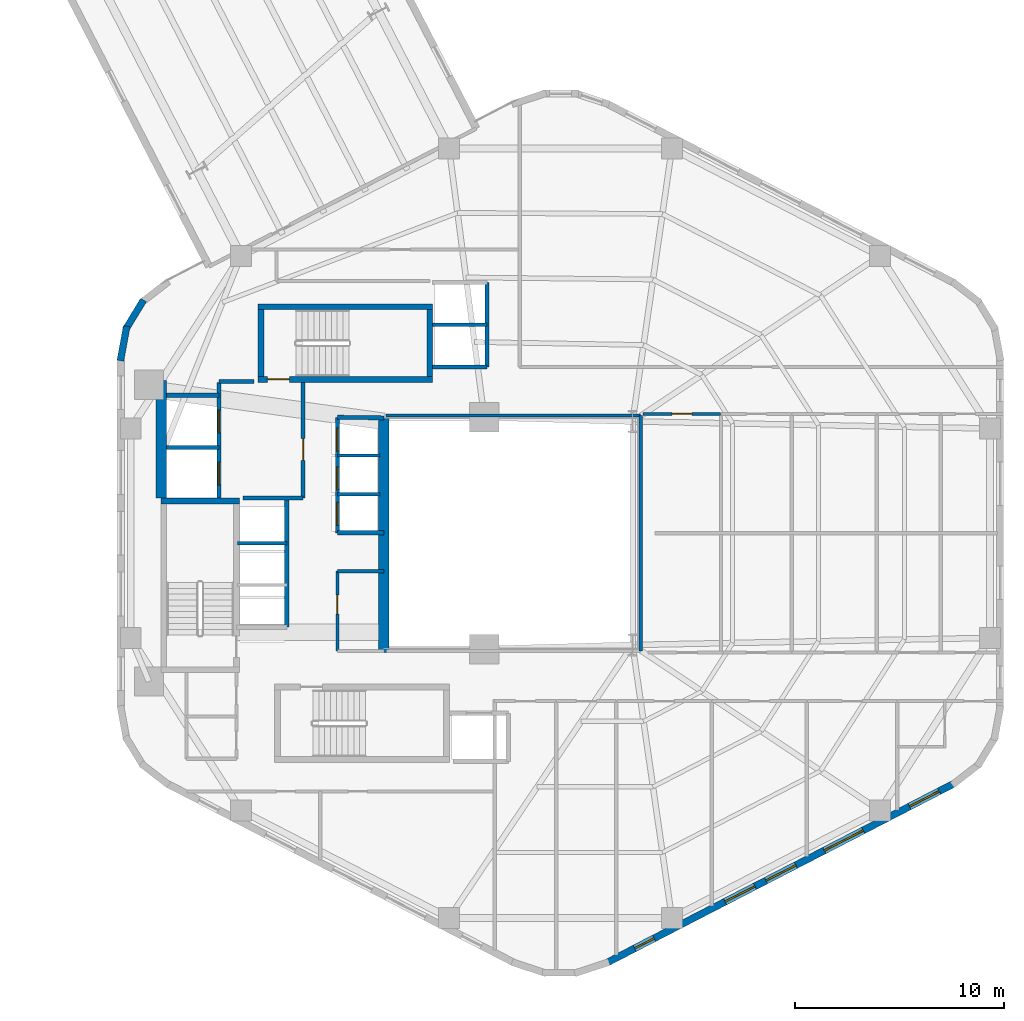
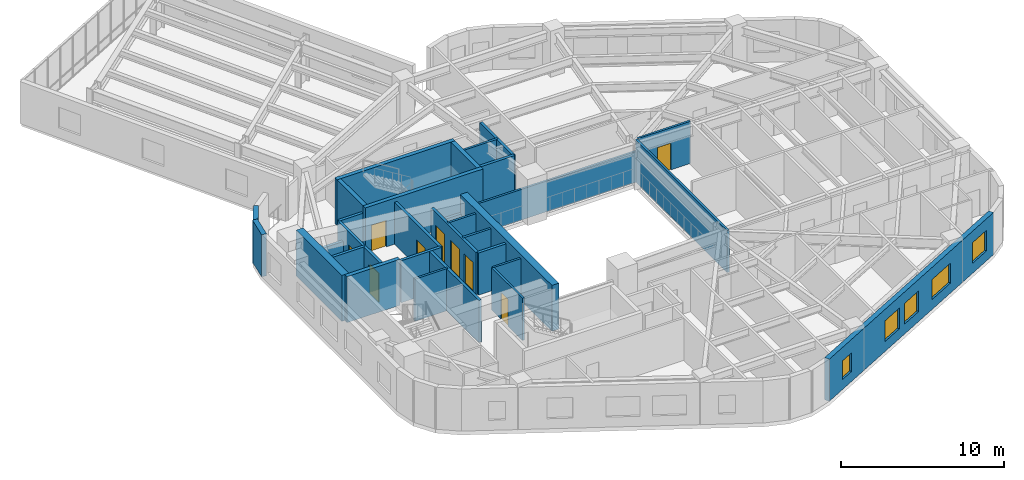
# One storey, part 7 of 11: 31 walls, 9 doors, 5 windows, 14 openings.
"""IFC4 building model written with IfcOpenShell, lengths in metres."""

from ifc_helpers import new_model, si_unit, direction, frame, frame_2d, origin, place, context, subcontext, project, spatial, rectangle, extrude, material, layer, layer_set, type_object, element, fill, save


model = new_model("IFC4")

# Units and contexts
model_context = context("Model", 3, precision=1e-05, world=origin(), true_north=direction((0.0, 1.0)))
body_context = subcontext(model_context, "Body", "Model", "MODEL_VIEW")
ifc_project = project(units=[si_unit("LENGTHUNIT", "METRE"), si_unit("AREAUNIT", "SQUARE_METRE"), si_unit("VOLUMEUNIT", "CUBIC_METRE"), si_unit("PLANEANGLEUNIT", "RADIAN"), si_unit("MASSUNIT", "GRAM", prefix="KILO"), si_unit("THERMODYNAMICTEMPERATUREUNIT", "KELVIN"), si_unit("POWERUNIT", "WATT")], contexts=[model_context])

# Site, building, storey
site_placement = place(None, origin())
site = spatial("IfcSite", under=ifc_project, at=site_placement, CompositionType="ELEMENT")
building_placement = place(site_placement, origin())
building = spatial("IfcBuilding", under=site, at=building_placement, Name="Skarre Station Tower", CompositionType="ELEMENT")
storey_placement = place(building_placement, frame((0.0, 0.0, 139.5)))
storey = spatial("IfcBuildingStorey", under=building, at=storey_placement, Name="L37", CompositionType="ELEMENT", Elevation=139.5)

# Wall, opening, door
ifc_material_1 = material(Name="Acoustic Steel-Stud Gypsum Partition", Category="steel")
ifc_layer_1 = layer(ifc_material_1, 0.14990234375, Name="Acoustic Steel-Stud Gypsum Partition")
ifc_layer_set_1 = layer_set([ifc_layer_1], Name="Acoustic Steel-Stud Gypsum Partition")
wall_type_1 = type_object("IfcWallType", Name="Fire-Rated Corridor Acoustic Partition 150", PredefinedType="PARTITIONING", material=ifc_layer_set_1)
wall_1_placement = place(storey_placement, frame((25.320068359375, 22.179931640625, 0.0), z_axis=(0.0, 0.0, 1.0), x_axis=(0.0, -1.0, 0.0)))
wall_1 = element("IfcWall", 1, at=wall_1_placement, inside=storey, type_object=wall_type_1, Name="L37 Interior Partition WL-PT-L37-RC1-W", PredefinedType="PARTITIONING", context=body_context, shape_type="SweptSolid", body=[
    extrude(rectangle(XDim=3.81982421875, YDim=0.14990234375, at=frame_2d((1.909912109375, 0.0))), origin(), (0.0, 0.0, 1.0), 3.159912109375),
])
opening_1_placement = place(wall_1_placement, frame((1.14990234375, 0.0, 0.0)))
opening_1 = element("IfcOpeningElement", 2, at=opening_1_placement, cuts=wall_1, Name="Opening DR-SVC90", PredefinedType="OPENING", context=body_context, shape_type="SweptSolid", body=[
    extrude(rectangle(XDim=0.89990234375, YDim=2.0, at=frame_2d((0.449951171875, 1.0))), frame((0.0, 0.0849609375, 0.0), z_axis=(0.0, -1.0, 0.0), x_axis=(1.0, 0.0, 0.0)), (0.0, 0.0, 1.0), 0.169921875),
])
ifc_material_2 = material(Name="Powder-Coated Hollow-Metal Acoustic Fire Leaf", Category="steel")
door_type_1 = type_object("IfcDoorType", Name="Service & Riser Fire Door FD60 900x2100", OperationType="SINGLE_SWING_LEFT", PredefinedType="DOOR", material=ifc_material_2)
door_1_placement = place(opening_1_placement, origin())
door_1 = element("IfcDoor", 3, at=door_1_placement, inside=storey, type_object=door_type_1, Name="L37 Staff Pantry Door", OperationType="SINGLE_SWING_LEFT", OverallHeight=2.0, OverallWidth=0.89990234375, PredefinedType="DOOR", context=body_context, shape_type="SweptSolid", body=[
    extrude(rectangle(XDim=0.89990234375, YDim=2.0, at=frame_2d((0.449951171875, 1.0))), frame((0.0, 0.02490234375, 0.0), z_axis=(0.0, -1.0, 0.0), x_axis=(1.0, 0.0, 0.0)), (0.0, 0.0, 1.0), 0.050048828125),
])
fill(opening_1, door_1)

# Walls
wall_2_placement = place(storey_placement, frame((25.320068359375, 22.179931640625, 0.0), z_axis=(0.0, 0.0, 1.0), x_axis=(1.0, 0.0, 0.0)))
element("IfcWall", 4, at=wall_2_placement, inside=storey, type_object=wall_type_1, Name="L37 Interior Partition WL-PT-L37-RC1-N2", PredefinedType="PARTITIONING", context=body_context, shape_type="SweptSolid", body=[
    extrude(rectangle(XDim=2.22998046875, YDim=0.14990234375, at=frame_2d((1.114990234375, 0.0))), origin(), (0.0, 0.0, 1.0), 3.159912109375),
])
wall_3_placement = place(storey_placement, frame((39.840087890625, 29.639892578125, 0.0), z_axis=(0.0, 0.0, 1.0), x_axis=(-1.0, 0.0, 0.0)))
element("IfcWall", 5, at=wall_3_placement, inside=storey, type_object=wall_type_1, Name="L37 Interior Partition WL-PT-L37-ATRW-N", PredefinedType="PARTITIONING", context=body_context, shape_type="SweptSolid", body=[
    extrude(rectangle(XDim=12.2001953125, YDim=0.14990234375, at=frame_2d((6.10009765625, 0.0))), origin(), (0.0, 0.0, 1.0), 2.301025390625),
])
wall_4_placement = place(storey_placement, frame((39.840087890625, 18.360107421875, 0.0), z_axis=(0.0, 0.0, 1.0), x_axis=(0.0, 1.0, 0.0)))
element("IfcWall", 6, at=wall_4_placement, inside=storey, type_object=wall_type_1, Name="L37 Interior Partition WL-PT-L37-ATRW-E", PredefinedType="PARTITIONING", context=body_context, shape_type="SweptSolid", body=[
    extrude(rectangle(XDim=11.27978515625, YDim=0.14990234375, at=frame_2d((5.639892578125, 0.0))), origin(), (0.0, 0.0, 1.0), 3.159912109375),
])

# Wall, opening, door
wall_5_placement = place(storey_placement, frame((39.949951171875, 29.7099609375, 0.0), z_axis=(0.0, 0.0, 1.0), x_axis=(1.0, 0.0, 0.0)))
wall_5 = element("IfcWall", 7, at=wall_5_placement, inside=storey, type_object=wall_type_1, Name="L37 Interior Partition WL-PT-L37-EWN1-CW", PredefinedType="PARTITIONING", context=body_context, shape_type="SweptSolid", body=[
    extrude(rectangle(XDim=3.718017578125, YDim=0.14990234375, at=frame_2d((1.85888671875, 0.0))), origin(), (0.0, 0.0, 1.0), 3.159912109375),
])
opening_2_placement = place(wall_5_placement, frame((1.37890625, 0.0, 0.0)))
opening_2 = element("IfcOpeningElement", 8, at=opening_2_placement, cuts=wall_5, Name="Opening DR-FD60", PredefinedType="OPENING", context=body_context, shape_type="SweptSolid", body=[
    extrude(rectangle(XDim=0.9599609375, YDim=2.0, at=frame_2d((0.47998046875, 1.0))), frame((0.0, 0.0849609375, 0.0), z_axis=(0.0, -1.0, 0.0), x_axis=(1.0, 0.0, 0.0)), (0.0, 0.0, 1.0), 0.169921875),
])
ifc_material_3 = material(Name="Nordic White-Oak Veneer Solid-Core Fire Leaf", Category="wood")
door_type_2 = type_object("IfcDoorType", Name="Corridor Suite Entry Fire Door FD60 960x2150", OperationType="SINGLE_SWING_LEFT", PredefinedType="DOOR", material=ifc_material_3)
door_2_placement = place(opening_2_placement, origin())
door_2 = element("IfcDoor", 9, at=door_2_placement, inside=storey, type_object=door_type_2, Name="L37 EWN1 Entry Door", OperationType="SINGLE_SWING_LEFT", OverallHeight=2.0, OverallWidth=0.9599609375, PredefinedType="DOOR", context=body_context, shape_type="SweptSolid", body=[
    extrude(rectangle(XDim=0.9599609375, YDim=2.0, at=frame_2d((0.47998046875, 1.0))), frame((0.0, 0.02490234375, 0.0), z_axis=(0.0, -1.0, 0.0), x_axis=(1.0, 0.0, 0.0)), (0.0, 0.0, 1.0), 0.050048828125),
])
fill(opening_2, door_2)

# Wall, openings, windows
ifc_material_4 = material(Name="Precast concrete C45/55", Category="concrete")
ifc_layer_2 = layer(ifc_material_4, 0.340087890625, Name="Precast concrete C45/55")
ifc_layer_set_2 = layer_set([ifc_layer_2], Name="Precast concrete C45/55")
wall_type_2 = type_object("IfcWallType", Name="Nordic Honed Precast Facet Wall 340", PredefinedType="STANDARD", material=ifc_layer_set_2)
wall_6_placement = place(storey_placement, frame((54.8310546875, 12.010009765625, 0.0), z_axis=(0.0, 0.0, 1.0), x_axis=(-0.888613612362, -0.458656568606, 0.0)))
wall_6 = element("IfcWall", 10, at=wall_6_placement, inside=storey, type_object=wall_type_2, Name="L37 Facet 4 Nordic Precast Masonry Wall", PredefinedType="STANDARD", context=body_context, shape_type="SweptSolid", body=[
    extrude(rectangle(XDim=18.680908203125, YDim=0.340087890625, at=frame_2d((9.34033203125, 0.0))), origin(), (0.0, 0.0, 1.0), 3.159912109375),
])
opening_3_placement = place(wall_6_placement, frame((0.7890625, 0.0, 0.75)))
opening_3 = element("IfcOpeningElement", 11, at=opening_3_placement, cuts=wall_6, Name="Opening WN-Z2A", PredefinedType="OPENING", context=body_context, shape_type="SweptSolid", body=[
    extrude(rectangle(XDim=1.60009765625, YDim=1.550048828125, at=frame_2d((0.800048828125, 0.77490234375))), frame((0.0, 0.179931640625, 0.0), z_axis=(0.0, -1.0, 0.0), x_axis=(1.0, 0.0, 0.0)), (0.0, 0.0, 1.0), 0.360107421875),
])
opening_4_placement = place(wall_6_placement, frame((4.882080078125, 0.0, 0.75)))
opening_4 = element("IfcOpeningElement", 12, at=opening_4_placement, cuts=wall_6, Name="Opening WN-Z2B", PredefinedType="OPENING", context=body_context, shape_type="SweptSolid", body=[
    extrude(rectangle(XDim=2.10009765625, YDim=1.5, at=frame_2d((1.050048828125, 0.75))), frame((0.0, 0.179931640625, 0.0), z_axis=(0.0, -1.0, 0.0), x_axis=(1.0, 0.0, 0.0)), (0.0, 0.0, 1.0), 0.360107421875),
])
opening_5_placement = place(wall_6_placement, frame((8.514892578125, 0.0, 0.75)))
opening_5 = element("IfcOpeningElement", 13, at=opening_5_placement, cuts=wall_6, Name="Opening WN-Z2A", PredefinedType="OPENING", context=body_context, shape_type="SweptSolid", body=[
    extrude(rectangle(XDim=1.60009765625, YDim=1.550048828125, at=frame_2d((0.800048828125, 0.77490234375))), frame((0.0, 0.179931640625, 0.0), z_axis=(0.0, -1.0, 0.0), x_axis=(1.0, 0.0, 0.0)), (0.0, 0.0, 1.0), 0.360107421875),
])
opening_6_placement = place(wall_6_placement, frame((10.718994140625, 0.0, 0.75)))
opening_6 = element("IfcOpeningElement", 14, at=opening_6_placement, cuts=wall_6, Name="Opening WN-Z2A", PredefinedType="OPENING", context=body_context, shape_type="SweptSolid", body=[
    extrude(rectangle(XDim=1.60009765625, YDim=1.550048828125, at=frame_2d((0.800048828125, 0.77490234375))), frame((0.0, 0.179931640625, 0.0), z_axis=(0.0, -1.0, 0.0), x_axis=(1.0, 0.0, 0.0)), (0.0, 0.0, 1.0), 0.360107421875),
])
opening_7_placement = place(wall_6_placement, frame((16.14306640625, 0.0, 0.75)))
opening_7 = element("IfcOpeningElement", 15, at=opening_7_placement, cuts=wall_6, Name="Opening WN-SLT", PredefinedType="OPENING", context=body_context, shape_type="SweptSolid", body=[
    extrude(rectangle(XDim=1.050048828125, YDim=1.39990234375, at=frame_2d((0.52490234375, 0.699951171875))), frame((0.0, 0.179931640625, 0.0), z_axis=(0.0, -1.0, 0.0), x_axis=(1.0, 0.0, 0.0)), (0.0, 0.0, 1.0), 0.360107421875),
])
ifc_material_5 = material(Name="Low-Iron Triple Glazing with Bronze Anodized Frame", Category="glass")
window_type_1 = type_object("IfcWindowType", Name="Nordic Corner Slot Window 1050x1400", PartitioningType="SINGLE_PANEL", PredefinedType="WINDOW", material=ifc_material_5)
window_1_placement = place(opening_7_placement, origin())
window_1 = element("IfcWindow", 16, at=window_1_placement, inside=storey, type_object=window_type_1, Name="L37 Facade Window WL-FAC-L37-F4-5", OverallHeight=1.39990234375, OverallWidth=1.050048828125, PartitioningType="SINGLE_PANEL", PredefinedType="WINDOW", context=body_context, shape_type="SweptSolid", body=[
    extrude(rectangle(XDim=1.050048828125, YDim=1.39990234375, at=frame_2d((0.52490234375, 0.699951171875))), frame((0.0, 0.030029296875, 0.0), z_axis=(0.0, -1.0, 0.0), x_axis=(1.0, 0.0, 0.0)), (0.0, 0.0, 1.0), 0.06005859375),
])
fill(opening_7, window_1)
window_type_2 = type_object("IfcWindowType", Name="Nordic Residential Tall Window 1600x1550", PartitioningType="SINGLE_PANEL", PredefinedType="WINDOW", material=ifc_material_5)
window_2_placement = place(opening_3_placement, origin())
window_2 = element("IfcWindow", 17, at=window_2_placement, inside=storey, type_object=window_type_2, Name="L37 Facade Window WL-FAC-L37-F4-1", OverallHeight=1.550048828125, OverallWidth=1.60009765625, PartitioningType="SINGLE_PANEL", PredefinedType="WINDOW", context=body_context, shape_type="SweptSolid", body=[
    extrude(rectangle(XDim=1.60009765625, YDim=1.550048828125, at=frame_2d((0.800048828125, 0.77490234375))), frame((0.0, 0.030029296875, 0.0), z_axis=(0.0, -1.0, 0.0), x_axis=(1.0, 0.0, 0.0)), (0.0, 0.0, 1.0), 0.06005859375),
])
fill(opening_3, window_2)
window_3_placement = place(opening_5_placement, origin())
window_3 = element("IfcWindow", 18, at=window_3_placement, inside=storey, type_object=window_type_2, Name="L37 Facade Window WL-FAC-L37-F4-3", OverallHeight=1.550048828125, OverallWidth=1.60009765625, PartitioningType="SINGLE_PANEL", PredefinedType="WINDOW", context=body_context, shape_type="SweptSolid", body=[
    extrude(rectangle(XDim=1.60009765625, YDim=1.550048828125, at=frame_2d((0.800048828125, 0.77490234375))), frame((0.0, 0.030029296875, 0.0), z_axis=(0.0, -1.0, 0.0), x_axis=(1.0, 0.0, 0.0)), (0.0, 0.0, 1.0), 0.06005859375),
])
fill(opening_5, window_3)
window_4_placement = place(opening_6_placement, origin())
window_4 = element("IfcWindow", 19, at=window_4_placement, inside=storey, type_object=window_type_2, Name="L37 Facade Window WL-FAC-L37-F4-4", OverallHeight=1.550048828125, OverallWidth=1.60009765625, PartitioningType="SINGLE_PANEL", PredefinedType="WINDOW", context=body_context, shape_type="SweptSolid", body=[
    extrude(rectangle(XDim=1.60009765625, YDim=1.550048828125, at=frame_2d((0.800048828125, 0.77490234375))), frame((0.0, 0.030029296875, 0.0), z_axis=(0.0, -1.0, 0.0), x_axis=(1.0, 0.0, 0.0)), (0.0, 0.0, 1.0), 0.06005859375),
])
fill(opening_6, window_4)
window_type_3 = type_object("IfcWindowType", Name="Nordic Residential Twin Window 2100x1500", PartitioningType="SINGLE_PANEL", PredefinedType="WINDOW", material=ifc_material_5)
window_5_placement = place(opening_4_placement, origin())
window_5 = element("IfcWindow", 20, at=window_5_placement, inside=storey, type_object=window_type_3, Name="L37 Facade Window WL-FAC-L37-F4-2", OverallHeight=1.5, OverallWidth=2.10009765625, PartitioningType="SINGLE_PANEL", PredefinedType="WINDOW", context=body_context, shape_type="SweptSolid", body=[
    extrude(rectangle(XDim=2.10009765625, YDim=1.5, at=frame_2d((1.050048828125, 0.75))), frame((0.0, 0.030029296875, 0.0), z_axis=(0.0, -1.0, 0.0), x_axis=(1.0, 0.0, 0.0)), (0.0, 0.0, 1.0), 0.06005859375),
])
fill(opening_4, window_5)

# Walls
ifc_layer_3 = layer(ifc_material_4, 0.330078125, Name="Precast concrete C45/55")
ifc_layer_set_3 = layer_set([ifc_layer_3], Name="Precast concrete C45/55")
wall_type_3 = type_object("IfcWallType", Name="Nordic Rounded Corner Precast Wall 330", PredefinedType="STANDARD", material=ifc_layer_set_3)
wall_7_placement = place(storey_placement, frame((14.931884765625, 32.258056640625, 0.0), z_axis=(0.0, 0.0, 1.0), x_axis=(0.181984991895, 0.983301308209, 0.0)))
element("IfcWall", 21, at=wall_7_placement, inside=storey, type_object=wall_type_3, Name="L37 Rounded Corner Precast Wall F2-1", PredefinedType="STANDARD", context=body_context, shape_type="SweptSolid", body=[
    extrude(rectangle(XDim=1.677001953125, YDim=0.330078125, at=frame_2d((0.83837890625, 0.0))), origin(), (0.0, 0.0, 1.0), 3.159912109375),
])
wall_8_placement = place(storey_placement, frame((15.169921875, 33.73193359375, 0.0), z_axis=(0.0, 0.0, 1.0), x_axis=(0.520519429557, 0.853849824883, 0.0)))
element("IfcWall", 22, at=wall_8_placement, inside=storey, type_object=wall_type_3, Name="L37 Rounded Corner Precast Wall F2-2", PredefinedType="STANDARD", context=body_context, shape_type="SweptSolid", body=[
    extrude(rectangle(XDim=1.67724609375, YDim=0.330078125, at=frame_2d((0.838623046875, 0.0))), origin(), (0.0, 0.0, 1.0), 3.159912109375),
])
ifc_material_6 = material(Name="Concrete C50/60", Category="concrete")
ifc_layer_4 = layer(ifc_material_6, 0.280029296875, Name="Concrete C50/60")
ifc_layer_set_4 = layer_set([ifc_layer_4], Name="Concrete C50/60")
wall_type_4 = type_object("IfcWallType", Name="RC Core Shear Wall 280", PredefinedType="SHEAR", material=ifc_layer_set_4)
wall_9_placement = place(storey_placement, frame((20.6298828125, 25.5400390625, 0.0), z_axis=(0.0, 0.0, 1.0), x_axis=(-1.0, 0.0, 0.0)))
element("IfcWall", 23, at=wall_9_placement, inside=storey, type_object=wall_type_4, Name="L37 Stair ST-1 North Shear Wall", PredefinedType="SHEAR", context=body_context, shape_type="SweptSolid", body=[
    extrude(rectangle(XDim=3.759765625, YDim=0.280029296875, at=frame_2d((1.8798828125, 0.0))), origin(), (0.0, 0.0, 1.0), 3.449951171875),
])

# Wall, opening, door
wall_10_placement = place(storey_placement, frame((21.52001953125, 31.360107421875, 0.0), z_axis=(0.0, 0.0, 1.0), x_axis=(1.0, 0.0, 0.0)))
wall_10 = element("IfcWall", 24, at=wall_10_placement, inside=storey, type_object=wall_type_4, Name="L37 Stair ST-3 South Shear Wall", PredefinedType="SHEAR", context=body_context, shape_type="SweptSolid", body=[
    extrude(rectangle(XDim=8.35986328125, YDim=0.280029296875, at=frame_2d((4.179931640625, 0.0))), origin(), (0.0, 0.0, 1.0), 3.449951171875),
])
opening_8_placement = place(wall_10_placement, frame((0.449951171875, 0.0, 0.0)))
opening_8 = element("IfcOpeningElement", 25, at=opening_8_placement, cuts=wall_10, Name="Opening DR-FD90", PredefinedType="OPENING", context=body_context, shape_type="SweptSolid", body=[
    extrude(rectangle(XDim=1.050048828125, YDim=2.0, at=frame_2d((0.52490234375, 1.0))), frame((0.0, 0.14990234375, 0.0), z_axis=(0.0, -1.0, 0.0), x_axis=(1.0, 0.0, 0.0)), (0.0, 0.0, 1.0), 0.300048828125),
])
ifc_material_7 = material(Name="Fire-Rated Insulated Steel Frame & Timber Core Leaf", Category="steel")
door_type_3 = type_object("IfcDoorType", Name="Stair & FSAE Lobby Fire Door FD90 1050x2150", OperationType="SINGLE_SWING_RIGHT", PredefinedType="DOOR", material=ifc_material_7)
door_3_placement = place(opening_8_placement, origin())
door_3 = element("IfcDoor", 26, at=door_3_placement, inside=storey, type_object=door_type_3, Name="L37 Stair ST-3 & FSAE Lobby Direct Exit Door", OperationType="SINGLE_SWING_LEFT", OverallHeight=2.0, OverallWidth=1.050048828125, PredefinedType="DOOR", context=body_context, shape_type="SweptSolid", body=[
    extrude(rectangle(XDim=1.050048828125, YDim=2.0, at=frame_2d((0.52490234375, 1.0))), frame((0.0, 0.02490234375, 0.0), z_axis=(0.0, -1.0, 0.0), x_axis=(1.0, 0.0, 0.0)), (0.0, 0.0, 1.0), 0.050048828125),
])
fill(opening_8, door_3)

# Walls
wall_11_placement = place(storey_placement, frame((29.8798828125, 34.840087890625, 0.0), z_axis=(0.0, 0.0, 1.0), x_axis=(-1.0, 0.0, 0.0)))
element("IfcWall", 27, at=wall_11_placement, inside=storey, type_object=wall_type_4, Name="L37 Stair ST-3 North Shear Wall", PredefinedType="SHEAR", context=body_context, shape_type="SweptSolid", body=[
    extrude(rectangle(XDim=8.35986328125, YDim=0.280029296875, at=frame_2d((4.179931640625, 0.0))), origin(), (0.0, 0.0, 1.0), 3.449951171875),
])
for number, where, z_axis, x_axis, name in (
    (28, (21.659912109375, 34.699951171875, 0.0), (0.0, 0.0, 1.0), (0.0, -1.0, 0.0), "L37 Stair ST-3 West Shear Wall"),
    (29, (29.739990234375, 31.5, 0.0), (0.0, 0.0, 1.0), (0.0, 1.0, 0.0), "L37 Stair ST-3 East Shear Wall"),
):
    element("IfcWall", number, at=place(storey_placement, frame(where, z_axis=z_axis, x_axis=x_axis)), inside=storey, type_object=wall_type_4, Name=name, PredefinedType="SHEAR", context=body_context, shape_type="SweptSolid", body=[
        extrude(rectangle(XDim=3.199951171875, YDim=0.280029296875, at=frame_2d((1.60009765625, 0.0))), origin(), (0.0, 0.0, 1.0), 3.449951171875),
    ])
ifc_material_8 = material(Name="Concrete C70/85", Category="concrete")
ifc_layer_5 = layer(ifc_material_8, 0.5, Name="Concrete C70/85")
ifc_layer_set_5 = layer_set([ifc_layer_5], Name="Concrete C70/85")
wall_type_5 = type_object("IfcWallType", Name="RC Core Shear Wall 500", PredefinedType="SHEAR", material=ifc_layer_set_5)
wall_12_placement = place(storey_placement, frame((16.89990234375, 25.679931640625, 0.0), z_axis=(0.0, 0.0, 1.0), x_axis=(0.0, 1.0, 0.0)))
element("IfcWall", 30, at=wall_12_placement, inside=storey, type_object=wall_type_5, Name="L37 Core West-North Shear Wall", PredefinedType="SHEAR", context=body_context, shape_type="SweptSolid", body=[
    extrude(rectangle(XDim=5.6201171875, YDim=0.5, at=frame_2d((2.81005859375, 0.0))), origin(), (0.0, 0.0, 1.0), 3.449951171875),
])
wall_13_placement = place(storey_placement, frame((27.550048828125, 29.550048828125, 0.0), z_axis=(0.0, 0.0, 1.0), x_axis=(0.0, -1.0, 0.0)))
element("IfcWall", 31, at=wall_13_placement, inside=storey, type_object=wall_type_5, Name="L37 Core East Atrium Shear Wall", PredefinedType="SHEAR", context=body_context, shape_type="SweptSolid", body=[
    extrude(rectangle(XDim=11.25, YDim=0.5, at=frame_2d((5.625, 0.0))), origin(), (0.0, 0.0, 1.0), 3.449951171875),
])

# Wall, openings, doors
ifc_material_9 = material(Name="Gypsum Concrete Shaft Assembly C30/37", Category="concrete")
ifc_layer_6 = layer(ifc_material_9, 0.199951171875, Name="Gypsum Concrete Shaft Assembly C30/37")
ifc_layer_set_6 = layer_set([ifc_layer_6], Name="Gypsum Concrete Shaft Assembly C30/37")
wall_type_6 = type_object("IfcWallType", Name="Shaft & Core Fire Partition 200", PredefinedType="PARTITIONING", material=ifc_layer_set_6)
wall_14_placement = place(storey_placement, frame((19.64990234375, 25.679931640625, 0.0), z_axis=(0.0, 0.0, 1.0), x_axis=(0.0, 1.0, 0.0)))
wall_14 = element("IfcWall", 32, at=wall_14_placement, inside=storey, type_object=wall_type_6, Name="L37 Interior Partition WL-PT-L37-FSAE-W", PredefinedType="PARTITIONING", context=body_context, shape_type="SweptSolid", body=[
    extrude(rectangle(XDim=5.5400390625, YDim=0.199951171875, at=frame_2d((2.77001953125, 0.0))), origin(), (0.0, 0.0, 1.0), 3.159912109375),
])
opening_9_placement = place(wall_14_placement, frame((0.6201171875, 0.0, 0.0)))
opening_9 = element("IfcOpeningElement", 33, at=opening_9_placement, cuts=wall_14, Name="Opening LD-FF1", PredefinedType="OPENING", context=body_context, shape_type="SweptSolid", body=[
    extrude(rectangle(XDim=1.10009765625, YDim=2.199951171875, at=frame_2d((0.550048828125, 1.10009765625))), frame((0.0, 0.10986328125, 0.0), z_axis=(0.0, -1.0, 0.0), x_axis=(1.0, 0.0, 0.0)), (0.0, 0.0, 1.0), 0.219970703125),
])
opening_10_placement = place(wall_14_placement, frame((3.1201171875, 0.0, 0.0)))
opening_10 = element("IfcOpeningElement", 34, at=opening_10_placement, cuts=wall_14, Name="Opening LD-FF2", PredefinedType="OPENING", context=body_context, shape_type="SweptSolid", body=[
    extrude(rectangle(XDim=1.10009765625, YDim=2.199951171875, at=frame_2d((0.550048828125, 1.10009765625))), frame((0.0, 0.10986328125, 0.0), z_axis=(0.0, -1.0, 0.0), x_axis=(1.0, 0.0, 0.0)), (0.0, 0.0, 1.0), 0.219970703125),
])
ifc_material_10 = material(Name="Fire-Rated Stainless Steel Grade 316L Sliding Leaves", Category="steel")
door_type_4 = type_object("IfcDoorType", Name="Fire Service Access Elevator Sliding Landing Door 1100x2200", OperationType="SLIDING_TO_LEFT", PredefinedType="DOOR", material=ifc_material_10)
door_4_placement = place(opening_9_placement, origin())
door_4 = element("IfcDoor", 35, at=door_4_placement, inside=storey, type_object=door_type_4, Name="L37 Firefighting Lift LF-FF1 Landing Door", OperationType="SLIDING_TO_LEFT", OverallHeight=2.199951171875, OverallWidth=1.10009765625, PredefinedType="DOOR", context=body_context, shape_type="SweptSolid", body=[
    extrude(rectangle(XDim=1.10009765625, YDim=2.199951171875, at=frame_2d((0.550048828125, 1.10009765625))), frame((0.0, 0.02490234375, 0.0), z_axis=(0.0, -1.0, 0.0), x_axis=(1.0, 0.0, 0.0)), (0.0, 0.0, 1.0), 0.050048828125),
])
fill(opening_9, door_4)
door_5_placement = place(opening_10_placement, origin())
door_5 = element("IfcDoor", 36, at=door_5_placement, inside=storey, type_object=door_type_4, Name="L37 Firefighting Lift LF-FF2 Landing Door", OperationType="SLIDING_TO_LEFT", OverallHeight=2.199951171875, OverallWidth=1.10009765625, PredefinedType="DOOR", context=body_context, shape_type="SweptSolid", body=[
    extrude(rectangle(XDim=1.10009765625, YDim=2.199951171875, at=frame_2d((0.550048828125, 1.10009765625))), frame((0.0, 0.02490234375, 0.0), z_axis=(0.0, -1.0, 0.0), x_axis=(1.0, 0.0, 0.0)), (0.0, 0.0, 1.0), 0.050048828125),
])
fill(opening_10, door_5)

# Wall
wall_15_placement = place(storey_placement, frame((20.79296875, 25.679931640625, 0.0), z_axis=(0.0, 0.0, 1.0), x_axis=(1.0, 0.0, 0.0)))
element("IfcWall", 37, at=wall_15_placement, inside=storey, type_object=wall_type_6, Name="L37 Interior Partition WL-PT-L37-FSAE-S", PredefinedType="PARTITIONING", context=body_context, shape_type="SweptSolid", body=[
    extrude(rectangle(XDim=2.886962890625, YDim=0.199951171875, at=frame_2d((1.443359375, 0.0))), origin(), (0.0, 0.0, 1.0), 3.159912109375),
])

# Wall, opening, door
wall_16_placement = place(storey_placement, frame((23.679931640625, 25.679931640625, 0.0), z_axis=(0.0, 0.0, 1.0), x_axis=(0.0, 1.0, 0.0)))
wall_16 = element("IfcWall", 38, at=wall_16_placement, inside=storey, type_object=wall_type_6, Name="L37 Interior Partition WL-PT-L37-FSAE-E", PredefinedType="PARTITIONING", context=body_context, shape_type="SweptSolid", body=[
    extrude(rectangle(XDim=5.5400390625, YDim=0.199951171875, at=frame_2d((2.77001953125, 0.0))), origin(), (0.0, 0.0, 1.0), 3.159912109375),
])
opening_11_placement = place(wall_16_placement, frame((1.800048828125, 0.0, 0.0)))
opening_11 = element("IfcOpeningElement", 39, at=opening_11_placement, cuts=wall_16, Name="Opening DR-FD90", PredefinedType="OPENING", context=body_context, shape_type="SweptSolid", body=[
    extrude(rectangle(XDim=1.050048828125, YDim=2.0, at=frame_2d((0.52490234375, 1.0))), frame((0.0, 0.10986328125, 0.0), z_axis=(0.0, -1.0, 0.0), x_axis=(1.0, 0.0, 0.0)), (0.0, 0.0, 1.0), 0.219970703125),
])
door_6_placement = place(opening_11_placement, origin())
door_6 = element("IfcDoor", 40, at=door_6_placement, inside=storey, type_object=door_type_3, Name="L37 FSAE Lobby Fire Door", OperationType="SINGLE_SWING_RIGHT", OverallHeight=2.0, OverallWidth=1.050048828125, PredefinedType="DOOR", context=body_context, shape_type="SweptSolid", body=[
    extrude(rectangle(XDim=1.050048828125, YDim=2.0, at=frame_2d((0.52490234375, 1.0))), frame((0.0, 0.02490234375, 0.0), z_axis=(0.0, -1.0, 0.0), x_axis=(1.0, 0.0, 0.0)), (0.0, 0.0, 1.0), 0.050048828125),
])
fill(opening_11, door_6)

# Walls
wall_17_placement = place(storey_placement, frame((21.330078125, 31.260009765625, 0.0), z_axis=(0.0, 0.0, 1.0), x_axis=(-1.0, 0.0, 0.0)))
element("IfcWall", 41, at=wall_17_placement, inside=storey, type_object=wall_type_6, Name="L37 Interior Partition WL-PT-L37-FSAE-N", PredefinedType="PARTITIONING", context=body_context, shape_type="SweptSolid", body=[
    extrude(rectangle(XDim=1.68017578125, YDim=0.199951171875, at=frame_2d((0.840087890625, 0.0))), origin(), (0.0, 0.0, 1.0), 3.159912109375),
])
wall_18_placement = place(storey_placement, frame((17.14990234375, 28.10009765625, 0.0), z_axis=(0.0, 0.0, 1.0), x_axis=(1.0, 0.0, 0.0)))
element("IfcWall", 42, at=wall_18_placement, inside=storey, type_object=wall_type_6, Name="L37 Interior Partition WL-PT-L37-FF-DIV", PredefinedType="PARTITIONING", context=body_context, shape_type="SweptSolid", body=[
    extrude(rectangle(XDim=2.5, YDim=0.199951171875, at=frame_2d((1.25, 0.0))), origin(), (0.0, 0.0, 1.0), 3.159912109375),
])
wall_19_placement = place(storey_placement, frame((19.64990234375, 30.60009765625, 0.0), z_axis=(0.0, 0.0, 1.0), x_axis=(-1.0, 0.0, 0.0)))
element("IfcWall", 43, at=wall_19_placement, inside=storey, type_object=wall_type_6, Name="L37 Interior Partition WL-PT-L37-FF-N", PredefinedType="PARTITIONING", context=body_context, shape_type="SweptSolid", body=[
    extrude(rectangle(XDim=2.5, YDim=0.199951171875, at=frame_2d((1.25, 0.0))), origin(), (0.0, 0.0, 1.0), 2.06005859375),
])
wall_20_placement = place(storey_placement, frame((32.47998046875, 31.949951171875, 0.0), z_axis=(0.0, 0.0, 1.0), x_axis=(0.0, 1.0, 0.0)))
element("IfcWall", 44, at=wall_20_placement, inside=storey, type_object=wall_type_6, Name="L37 Interior Partition WL-PT-L37-EX-E", PredefinedType="PARTITIONING", context=body_context, shape_type="SweptSolid", body=[
    extrude(rectangle(XDim=4.050048828125, YDim=0.199951171875, at=frame_2d((2.02490234375, 0.0))), origin(), (0.0, 0.0, 1.0), 3.159912109375),
])
wall_21_placement = place(storey_placement, frame((32.47998046875, 31.949951171875, 0.0), z_axis=(0.0, 0.0, 1.0), x_axis=(-1.0, 0.0, 0.0)))
element("IfcWall", 45, at=wall_21_placement, inside=storey, type_object=wall_type_6, Name="L37 Interior Partition WL-PT-L37-EX-S", PredefinedType="PARTITIONING", context=body_context, shape_type="SweptSolid", body=[
    extrude(rectangle(XDim=2.60009765625, YDim=0.199951171875, at=frame_2d((1.300048828125, 0.0))), origin(), (0.0, 0.0, 1.0), 3.159912109375),
])
wall_22_placement = place(storey_placement, frame((29.875, 33.97998046875, 0.0), z_axis=(0.0, 0.0, 1.0), x_axis=(1.0, 0.0, 0.0)))
element("IfcWall", 46, at=wall_22_placement, inside=storey, type_object=wall_type_6, Name="L37 Interior Partition WL-PT-L37-EX-DIV", PredefinedType="PARTITIONING", context=body_context, shape_type="SweptSolid", body=[
    extrude(rectangle(XDim=2.60498046875, YDim=0.159912109375, at=frame_2d((1.302490234375, 0.0))), origin(), (0.0, 0.0, 1.0), 3.159912109375),
])
wall_23_placement = place(storey_placement, frame((22.89990234375, 19.5, 0.0), z_axis=(0.0, 0.0, 1.0), x_axis=(0.0, 1.0, 0.0)))
element("IfcWall", 47, at=wall_23_placement, inside=storey, type_object=wall_type_6, Name="L37 Interior Partition WL-PT-L37-B3-E", PredefinedType="PARTITIONING", context=body_context, shape_type="SweptSolid", body=[
    extrude(rectangle(XDim=6.0849609375, YDim=0.199951171875, at=frame_2d((3.04248046875, 0.0))), origin(), (0.0, 0.0, 1.0), 3.159912109375),
])
wall_24_placement = place(storey_placement, frame((20.550048828125, 23.52001953125, 0.0), z_axis=(0.0, 0.0, 1.0), x_axis=(1.0, 0.0, 0.0)))
element("IfcWall", 48, at=wall_24_placement, inside=storey, type_object=wall_type_6, Name="L37 Interior Partition WL-PT-L37-B3-D2", PredefinedType="PARTITIONING", context=body_context, shape_type="SweptSolid", body=[
    extrude(rectangle(XDim=2.349853515625, YDim=0.159912109375, at=frame_2d((1.1748046875, 0.0))), origin(), (0.0, 0.0, 1.0), 3.159912109375),
])

# Wall, openings, doors
wall_25_placement = place(storey_placement, frame((25.320068359375, 29.550048828125, 0.0), z_axis=(0.0, 0.0, 1.0), x_axis=(0.0, -1.0, 0.0)))
wall_25 = element("IfcWall", 49, at=wall_25_placement, inside=storey, type_object=wall_type_6, Name="L37 Interior Partition WL-PT-L37-B2-W", PredefinedType="PARTITIONING", context=body_context, shape_type="SweptSolid", body=[
    extrude(rectangle(XDim=5.530029296875, YDim=0.199951171875, at=frame_2d((2.76513671875, 0.0))), origin(), (0.0, 0.0, 1.0), 3.159912109375),
])
opening_12_placement = place(wall_25_placement, frame((0.52001953125, 0.0, 0.0)))
opening_12 = element("IfcOpeningElement", 50, at=opening_12_placement, cuts=wall_25, Name="Opening LD-P6", PredefinedType="OPENING", context=body_context, shape_type="SweptSolid", body=[
    extrude(rectangle(XDim=1.10009765625, YDim=2.199951171875, at=frame_2d((0.550048828125, 1.10009765625))), frame((0.0, 0.10986328125, 0.0), z_axis=(0.0, -1.0, 0.0), x_axis=(1.0, 0.0, 0.0)), (0.0, 0.0, 1.0), 0.219970703125),
])
opening_13_placement = place(wall_25_placement, frame((2.3701171875, 0.0, 0.0)))
opening_13 = element("IfcOpeningElement", 51, at=opening_13_placement, cuts=wall_25, Name="Opening LD-P5", PredefinedType="OPENING", context=body_context, shape_type="SweptSolid", body=[
    extrude(rectangle(XDim=1.10009765625, YDim=2.199951171875, at=frame_2d((0.550048828125, 1.10009765625))), frame((0.0, 0.10986328125, 0.0), z_axis=(0.0, -1.0, 0.0), x_axis=(1.0, 0.0, 0.0)), (0.0, 0.0, 1.0), 0.219970703125),
])
opening_14_placement = place(wall_25_placement, frame((4.070068359375, 0.0, 0.0)))
opening_14 = element("IfcOpeningElement", 52, at=opening_14_placement, cuts=wall_25, Name="Opening LD-P4", PredefinedType="OPENING", context=body_context, shape_type="SweptSolid", body=[
    extrude(rectangle(XDim=1.10009765625, YDim=2.199951171875, at=frame_2d((0.550048828125, 1.10009765625))), frame((0.0, 0.10986328125, 0.0), z_axis=(0.0, -1.0, 0.0), x_axis=(1.0, 0.0, 0.0)), (0.0, 0.0, 1.0), 0.219970703125),
])
ifc_material_11 = material(Name="Brushed Bronze Stainless Steel Sliding Leaves", Category="steel")
door_type_5 = type_object("IfcDoorType", Name="Passenger Elevator Center-Parting Sliding Door 1100x2200", OperationType="SLIDING_TO_LEFT", PredefinedType="DOOR", material=ifc_material_11)
door_7_placement = place(opening_12_placement, origin())
door_7 = element("IfcDoor", 53, at=door_7_placement, inside=storey, type_object=door_type_5, Name="L37 Passenger Lift LF-P6 Landing Door", OperationType="SLIDING_TO_LEFT", OverallHeight=2.199951171875, OverallWidth=1.10009765625, PredefinedType="DOOR", context=body_context, shape_type="SweptSolid", body=[
    extrude(rectangle(XDim=1.10009765625, YDim=2.199951171875, at=frame_2d((0.550048828125, 1.10009765625))), frame((0.0, 0.02490234375, 0.0), z_axis=(0.0, -1.0, 0.0), x_axis=(1.0, 0.0, 0.0)), (0.0, 0.0, 1.0), 0.050048828125),
])
fill(opening_12, door_7)
door_8_placement = place(opening_13_placement, origin())
door_8 = element("IfcDoor", 54, at=door_8_placement, inside=storey, type_object=door_type_5, Name="L37 Passenger Lift LF-P5 Landing Door", OperationType="SLIDING_TO_LEFT", OverallHeight=2.199951171875, OverallWidth=1.10009765625, PredefinedType="DOOR", context=body_context, shape_type="SweptSolid", body=[
    extrude(rectangle(XDim=1.10009765625, YDim=2.199951171875, at=frame_2d((0.550048828125, 1.10009765625))), frame((0.0, 0.02490234375, 0.0), z_axis=(0.0, -1.0, 0.0), x_axis=(1.0, 0.0, 0.0)), (0.0, 0.0, 1.0), 0.050048828125),
])
fill(opening_13, door_8)
door_9_placement = place(opening_14_placement, origin())
door_9 = element("IfcDoor", 55, at=door_9_placement, inside=storey, type_object=door_type_5, Name="L37 Passenger Lift LF-P4 Landing Door", OperationType="SLIDING_TO_LEFT", OverallHeight=2.199951171875, OverallWidth=1.10009765625, PredefinedType="DOOR", context=body_context, shape_type="SweptSolid", body=[
    extrude(rectangle(XDim=1.10009765625, YDim=2.199951171875, at=frame_2d((0.550048828125, 1.10009765625))), frame((0.0, 0.02490234375, 0.0), z_axis=(0.0, -1.0, 0.0), x_axis=(1.0, 0.0, 0.0)), (0.0, 0.0, 1.0), 0.050048828125),
])
fill(opening_14, door_9)

# Walls
wall_26_placement = place(storey_placement, frame((27.550048828125, 29.52001953125, 0.0), z_axis=(0.0, 0.0, 1.0), x_axis=(-0.999909343457, 0.013464949556, 0.0)))
element("IfcWall", 56, at=wall_26_placement, inside=storey, type_object=wall_type_6, Name="L37 Interior Partition WL-PT-L37-B2-N", PredefinedType="PARTITIONING", context=body_context, shape_type="SweptSolid", body=[
    extrude(rectangle(XDim=2.230224609375, YDim=0.199951171875, at=frame_2d((1.115234375, 0.0))), origin(), (0.0, 0.0, 1.0), 2.06005859375),
])
wall_27_placement = place(storey_placement, frame((25.320068359375, 24.02001953125, 0.0), z_axis=(0.0, 0.0, 1.0), x_axis=(1.0, 0.0, 0.0)))
element("IfcWall", 57, at=wall_27_placement, inside=storey, type_object=wall_type_6, Name="L37 Interior Partition WL-PT-L37-B2-S", PredefinedType="PARTITIONING", context=body_context, shape_type="SweptSolid", body=[
    extrude(rectangle(XDim=2.22998046875, YDim=0.199951171875, at=frame_2d((1.114990234375, 0.0))), origin(), (0.0, 0.0, 1.0), 3.159912109375),
])
for number, where, z_axis, x_axis, name in (
    (58, (25.320068359375, 25.8701171875, 0.0), (0.0, 0.0, 1.0), (1.0, 0.0, 0.0), "L37 Interior Partition WL-PT-L37-B2-D258"),
    (59, (25.320068359375, 27.719970703125, 0.0), (0.0, 0.0, 1.0), (1.0, 0.0, 0.0), "L37 Interior Partition WL-PT-L37-B2-D277"),
):
    element("IfcWall", number, at=place(storey_placement, frame(where, z_axis=z_axis, x_axis=x_axis)), inside=storey, type_object=wall_type_6, Name=name, PredefinedType="PARTITIONING", context=body_context, shape_type="SweptSolid", body=[
        extrude(rectangle(XDim=2.030029296875, YDim=0.159912109375, at=frame_2d((1.01513671875, 0.0))), origin(), (0.0, 0.0, 1.0), 3.159912109375),
    ])

save(model, "model.ifc")
